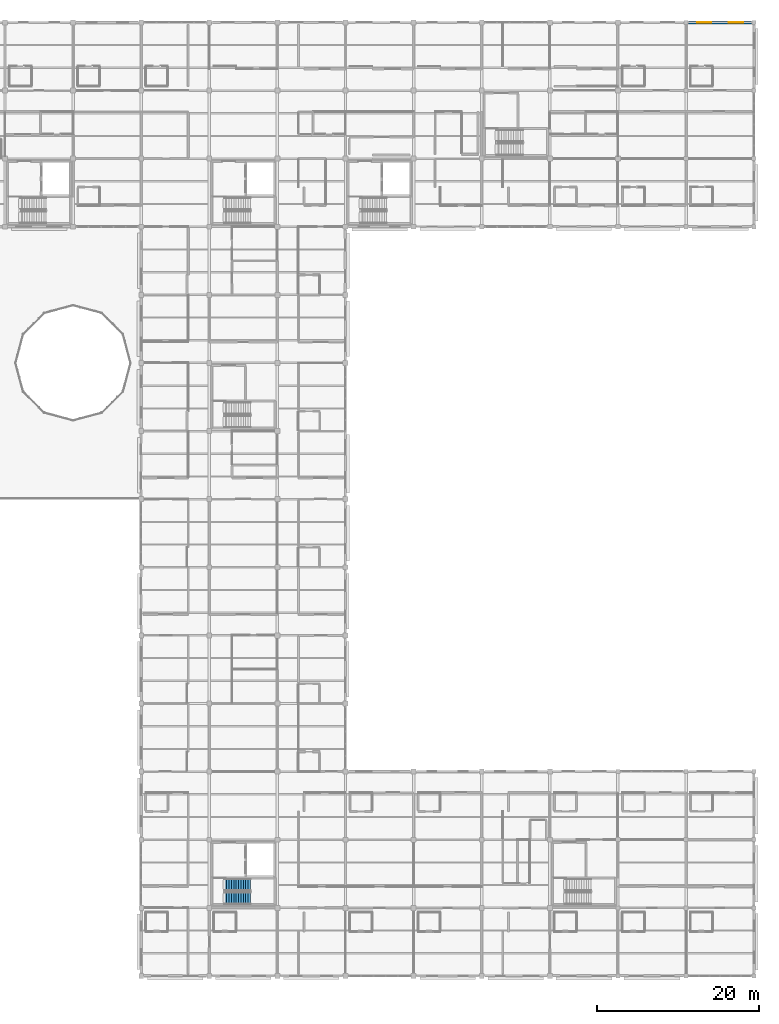
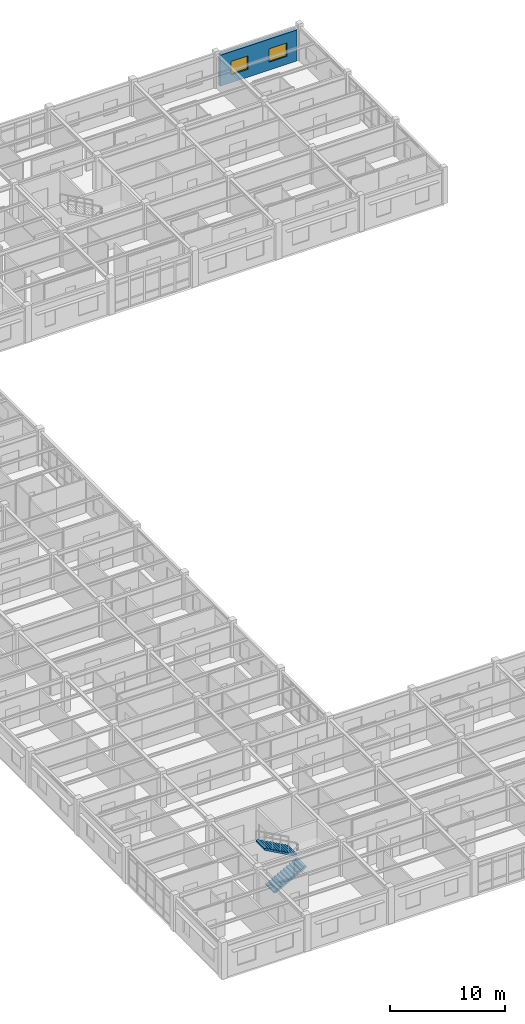
# One storey, part 70 of 86: 2 stair flights, 2 windows, 1 wall, 2 openings, 1 element without a shape of its own.
"""IFC4 building model written with IfcOpenShell, lengths in metres."""

from ifc_helpers import new_model, si_unit, direction, frame, frame_2d, origin, place, context, subcontext, project, spatial, polyline, rectangle, outline, extrude, material, layer, layer_set, type_object, element, fill, aggregate, save


model = new_model("IFC4")

# Units and contexts
model_context = context("Model", 3, precision=1e-05, world=origin(), true_north=direction((0.0, 1.0)))
body_context = subcontext(model_context, "Body", "Model", "MODEL_VIEW")
ifc_project = project(units=[si_unit("LENGTHUNIT", "METRE"), si_unit("AREAUNIT", "SQUARE_METRE"), si_unit("VOLUMEUNIT", "CUBIC_METRE"), si_unit("PLANEANGLEUNIT", "RADIAN"), si_unit("MASSUNIT", "GRAM", prefix="KILO")], contexts=[model_context])

# Site, building, storey
site_placement = place(None, origin())
site = spatial("IfcSite", under=ifc_project, at=site_placement, CompositionType="ELEMENT")
building_placement = place(site_placement, origin())
building = spatial("IfcBuilding", under=site, at=building_placement, Name="Bramfleet General Hospital", CompositionType="ELEMENT")
storey_placement = place(building_placement, frame((0.0, 0.0, 18.60009765625)))
storey = spatial("IfcBuildingStorey", under=building, at=storey_placement, Name="L04", CompositionType="ELEMENT", Elevation=18.60009765625)

# Wall, openings, windows
ifc_material_1 = material(Name="Precast concrete C40/50", Category="concrete")
ifc_layer = layer(ifc_material_1, 0.3349609375, Name="WT-EW-03")
ifc_layer_set = layer_set([ifc_layer], Name="Precast concrete C40/50")
wall_type = type_object("IfcWallType", Name="WT-EW-03", PredefinedType="SOLIDWALL", material=ifc_layer_set)
wall_placement = place(storey_placement, frame((159.925048828125, 117.60009765625, 0.0), z_axis=(0.0, 0.0, 1.0), x_axis=(1.0, 0.0, 0.0)))
wall = element("IfcWall", 1, at=wall_placement, inside=storey, type_object=wall_type, Name="L04 Exterior Wall 295", PredefinedType="SOLIDWALL", context=body_context, shape_type="SweptSolid", body=[
    extrude(rectangle(XDim=7.75, YDim=0.3349609375, at=frame_2d((3.875, 0.0))), origin(), (0.0, 0.0, 1.0), 3.2998046875),
])
opening_1_placement = place(wall_placement, frame((1.08740234375, 0.0, 0.85009765625)))
opening_1 = element("IfcOpeningElement", 2, at=opening_1_placement, cuts=wall, Name="Opening W-18", PredefinedType="OPENING", context=body_context, shape_type="SweptSolid", body=[
    extrude(rectangle(XDim=1.699951171875, YDim=1.419921875, at=frame_2d((0.85009765625, 0.7099609375))), frame((0.0, 0.177490234375, 0.0), z_axis=(0.0, -1.0, 0.0), x_axis=(1.0, 0.0, 0.0)), (0.0, 0.0, 1.0), 0.35498046875),
])
opening_2_placement = place(wall_placement, frame((4.91259765625, 0.0, 0.85009765625)))
opening_2 = element("IfcOpeningElement", 3, at=opening_2_placement, cuts=wall, Name="Opening W-19", PredefinedType="OPENING", context=body_context, shape_type="SweptSolid", body=[
    extrude(rectangle(XDim=1.800048828125, YDim=1.419921875, at=frame_2d((0.89990234375, 0.7099609375))), frame((0.0, 0.177490234375, 0.0), z_axis=(0.0, -1.0, 0.0), x_axis=(1.0, 0.0, 0.0)), (0.0, 0.0, 1.0), 0.35498046875),
])
ifc_material_2 = material(Name="Anodised aluminium and low-E triple glazing", Category="aluminium")
window_type_1 = type_object("IfcWindowType", Name="WIN-W-18", PartitioningType="SINGLE_PANEL", PredefinedType="WINDOW", material=ifc_material_2)
window_1_placement = place(opening_1_placement, origin())
window_1 = element("IfcWindow", 4, at=window_1_placement, inside=storey, type_object=window_type_1, Name="L04 Facade Window WIN-L04-295-1", OverallHeight=1.419921875, OverallWidth=1.699951171875, PartitioningType="SINGLE_PANEL", PredefinedType="WINDOW", context=body_context, shape_type="SweptSolid", body=[
    extrude(rectangle(XDim=1.699951171875, YDim=1.419921875, at=frame_2d((0.85009765625, 0.7099609375))), frame((0.0, 0.030029296875, 0.0), z_axis=(0.0, -1.0, 0.0), x_axis=(1.0, 0.0, 0.0)), (0.0, 0.0, 1.0), 0.06005859375),
])
fill(opening_1, window_1)
window_type_2 = type_object("IfcWindowType", Name="WIN-W-19", PartitioningType="SINGLE_PANEL", PredefinedType="WINDOW", material=ifc_material_2)
window_2_placement = place(opening_2_placement, origin())
window_2 = element("IfcWindow", 5, at=window_2_placement, inside=storey, type_object=window_type_2, Name="L04 Facade Window WIN-L04-295-2", OverallHeight=1.419921875, OverallWidth=1.800048828125, PartitioningType="SINGLE_PANEL", PredefinedType="WINDOW", context=body_context, shape_type="SweptSolid", body=[
    extrude(rectangle(XDim=1.800048828125, YDim=1.419921875, at=frame_2d((0.89990234375, 0.7099609375))), frame((0.0, 0.030029296875, 0.0), z_axis=(0.0, -1.0, 0.0), x_axis=(1.0, 0.0, 0.0)), (0.0, 0.0, 1.0), 0.06005859375),
])
fill(opening_2, window_2)

# Stair, stair flights
ifc_material_3 = material(Name="Concrete C35/45", Category="concrete")
stair_type = type_object("IfcStairType", Name="STR-T4", PredefinedType="HALF_TURN_STAIR", material=ifc_material_3)
stair_placement = place(storey_placement, origin())
stair = element("IfcStair", 6, at=stair_placement, inside=storey, type_object=stair_type, Name="L04 Core C3 (South Ward Wing) Protected Escape Stair", PredefinedType="HALF_TURN_STAIR")
stair_flight_type = type_object("IfcStairFlightType", Name="STF-T4", PredefinedType="STRAIGHT", material=ifc_material_3)
stair_flight_1_placement = place(storey_placement, frame((102.639892578125, 9.570068359375, 0.0), z_axis=(0.0, 0.0, 1.0), x_axis=(1.0, 0.0, 0.0)))
stair_flight_1 = element("IfcStairFlight", 7, at=stair_flight_1_placement, type_object=stair_flight_type, Name="ST-C3 flight 1", NumberOfRisers=12, NumberOfTreads=11, PredefinedType="STRAIGHT", RiserHeight=0.1625, TreadLength=0.295, context=body_context, shape_type="SweptSolid", body=[
    extrude(outline(polyline([(0.0, 0.0), (0.0, 0.16259765625), (0.294921875, 0.16259765625), (0.294921875, 0.324951171875), (0.590087890625, 0.324951171875), (0.590087890625, 0.487548828125), (0.885009765625, 0.487548828125), (0.885009765625, 0.64990234375), (1.179931640625, 0.64990234375), (1.179931640625, 0.8125), (1.47509765625, 0.8125), (1.47509765625, 0.97509765625), (1.77001953125, 0.97509765625), (1.77001953125, 1.137451171875), (2.06494140625, 1.137451171875), (2.06494140625, 1.300048828125), (2.360107421875, 1.300048828125), (2.360107421875, 1.46240234375), (2.655029296875, 1.46240234375), (2.655029296875, 1.625), (2.949951171875, 1.625), (2.949951171875, 1.78759765625), (3.2451171875, 1.78759765625), (3.2451171875, 1.949951171875), (3.2451171875, 1.60498046875), (0.33154296875, 0.0), (0.0, 0.0)])), frame((0.0, 0.75, 0.0), z_axis=(0.0, -1.0, 0.0), x_axis=(1.0, 0.0, 0.0)), (0.0, 0.0, 1.0), 1.5),
])
stair_flight_2_placement = place(storey_placement, frame((105.885009765625, 11.22998046875, 1.949951171875), z_axis=(0.0, 0.0, 1.0), x_axis=(-1.0, 0.0, 0.0)))
stair_flight_2 = element("IfcStairFlight", 8, at=stair_flight_2_placement, type_object=stair_flight_type, Name="ST-C3 flight 2", NumberOfRisers=12, NumberOfTreads=11, PredefinedType="STRAIGHT", RiserHeight=0.1625, TreadLength=0.295, context=body_context, shape_type="SweptSolid", body=[
    extrude(outline(polyline([(0.0, 0.0), (0.0, 0.16259765625), (0.294921875, 0.16259765625), (0.294921875, 0.324951171875), (0.590087890625, 0.324951171875), (0.590087890625, 0.487548828125), (0.885009765625, 0.487548828125), (0.885009765625, 0.64990234375), (1.179931640625, 0.64990234375), (1.179931640625, 0.8125), (1.47509765625, 0.8125), (1.47509765625, 0.97509765625), (1.77001953125, 0.97509765625), (1.77001953125, 1.137451171875), (2.06494140625, 1.137451171875), (2.06494140625, 1.300048828125), (2.360107421875, 1.300048828125), (2.360107421875, 1.46240234375), (2.655029296875, 1.46240234375), (2.655029296875, 1.625), (2.949951171875, 1.625), (2.949951171875, 1.78759765625), (3.2451171875, 1.78759765625), (3.2451171875, 1.949951171875), (3.2451171875, 1.60498046875), (0.33154296875, 0.0), (0.0, 0.0)])), frame((0.0, 0.75, 0.0), z_axis=(0.0, -1.0, 0.0), x_axis=(1.0, 0.0, 0.0)), (0.0, 0.0, 1.0), 1.5),
])
aggregate(stair, [stair_flight_1, stair_flight_2])

save(model, "model.ifc")
